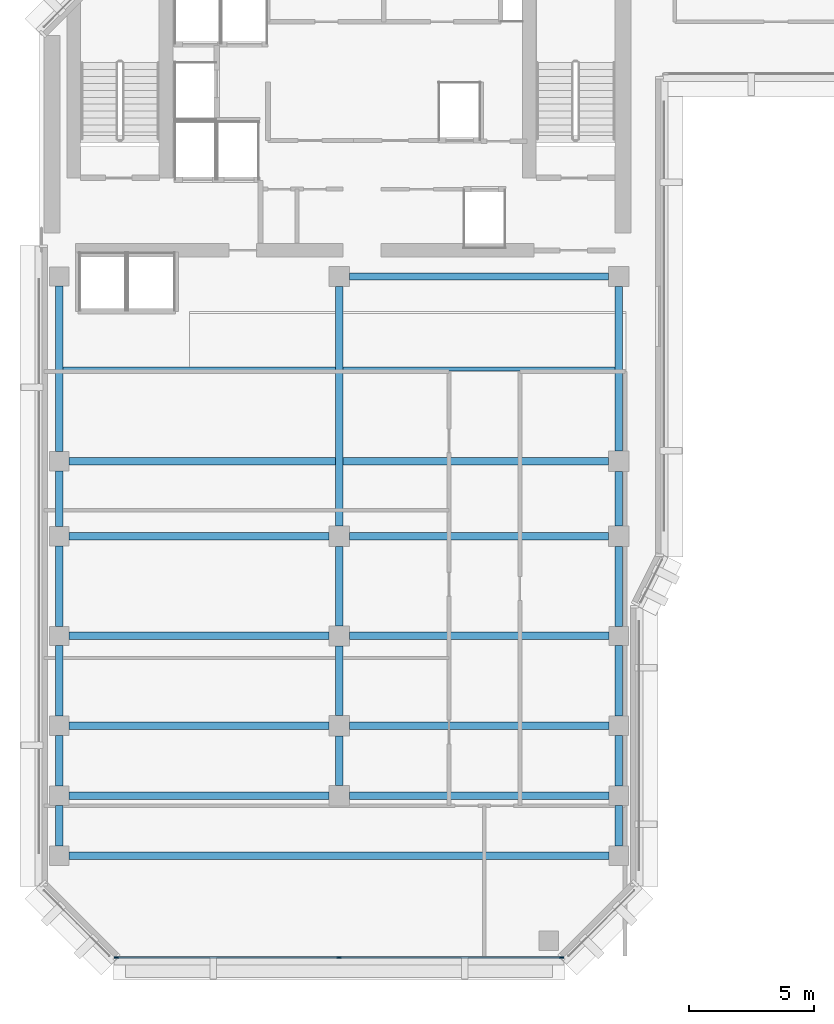
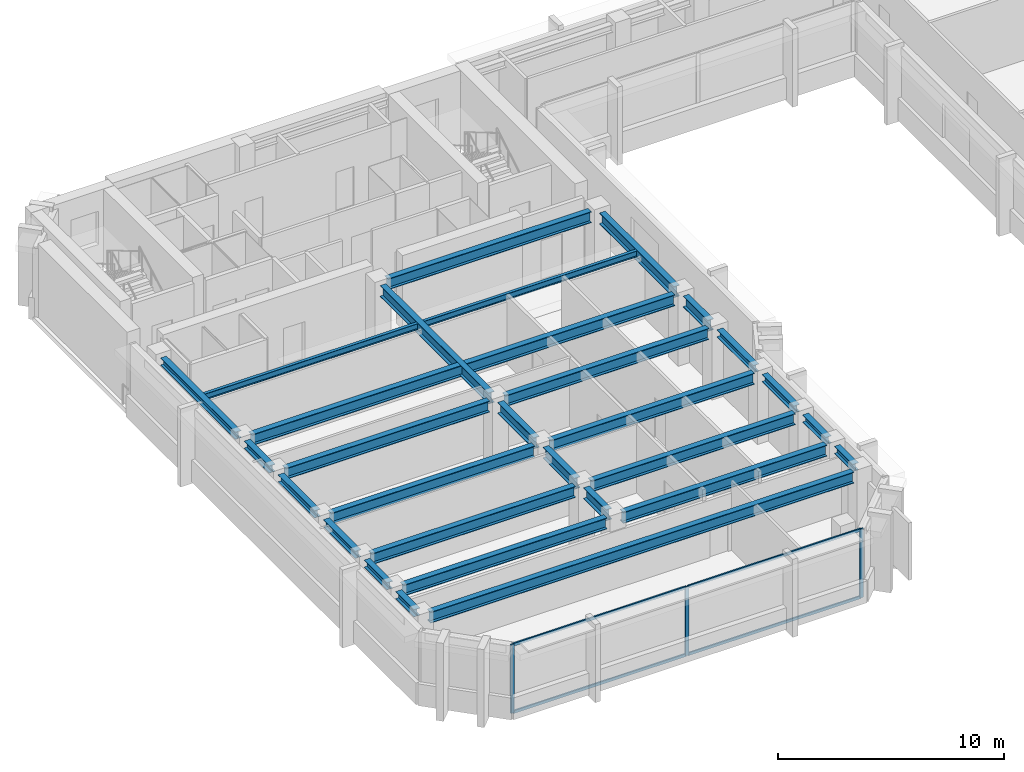
# One storey, part 2 of 11: 29 beams, 7 members, 1 element without a shape of its own.
"""IFC4 building model written with IfcOpenShell, lengths in metres."""

from ifc_helpers import new_model, si_unit, direction, frame, origin, origin_2d, place, context, subcontext, project, spatial, rectangle, i_section, extrude, material, layer, layer_set, material_profile, profile_set, type_object, element, aggregate, save


model = new_model("IFC4")

# Units and contexts
model_context = context("Model", 3, precision=1e-05, world=origin(), true_north=direction((0.0, 1.0)))
body_context = subcontext(model_context, "Body", "Model", "MODEL_VIEW")
ifc_project = project(units=[si_unit("LENGTHUNIT", "METRE"), si_unit("AREAUNIT", "SQUARE_METRE"), si_unit("VOLUMEUNIT", "CUBIC_METRE"), si_unit("PLANEANGLEUNIT", "RADIAN"), si_unit("MASSUNIT", "GRAM", prefix="KILO")], contexts=[model_context])

# Site, building, storey
site_placement = place(None, origin())
site = spatial("IfcSite", under=ifc_project, at=site_placement, CompositionType="ELEMENT")
building_placement = place(site_placement, origin())
building = spatial("IfcBuilding", under=site, at=building_placement, Name="Kefirva Bronze Tower", CompositionType="ELEMENT")
storey_placement = place(building_placement, frame((0.0, 0.0, 223.739990234375)))
storey = spatial("IfcBuildingStorey", under=building, at=storey_placement, Name="L54", CompositionType="ELEMENT", Elevation=223.739990234375)

# Curtain wall, members
ifc_material_1 = material(Name="Bronze anodised aluminium", Category="aluminium")
ifc_layer = layer(ifc_material_1, 0.179931640625, Name="Bronze anodised aluminium")
ifc_layer_set = layer_set([ifc_layer], Name="Bronze anodised aluminium")
curtain_wall_type = type_object("IfcCurtainWallType", Name="Unitised Bronze Ribbon Curtain Wall Zone 3", PredefinedType="USERDEFINED", material=ifc_layer_set)
curtain_wall_placement = place(storey_placement, origin())
curtain_wall = element("IfcCurtainWall", 1, at=curtain_wall_placement, inside=storey, type_object=curtain_wall_type, Name="L54 Curtain Wall 1", ObjectType="UNITISED CURTAIN WALL", PredefinedType="USERDEFINED")
ifc_material_profile_1 = material_profile(ifc_material_1, rectangle(XDim=0.074951171875, YDim=0.179931640625, at=origin_2d()), Name="ALU 75x180")
ifc_profile_set_1 = profile_set([ifc_material_profile_1], Name="Bronze anodised aluminium")
member_type_1 = type_object("IfcMemberType", Name="Bronze Mullion 75x180", PredefinedType="MULLION", material=ifc_profile_set_1)
member_1_placement = place(storey_placement, frame((3.092529296875, 5.919921875, 0.0), z_axis=(0.0, 0.0, 1.0), x_axis=(0.0, 1.0, 0.0)))
member_1 = element("IfcMember", 2, at=member_1_placement, type_object=member_type_1, Name="CW-03 mullion 1", PredefinedType="MULLION", context=body_context, shape_type="SweptSolid", body=[
    extrude(rectangle(XDim=0.074951171875, YDim=0.179931640625, at=origin_2d()), origin(), (0.0, 0.0, 1.0), 3.7099609375),
])
member_2_placement = place(storey_placement, frame((12.0, 5.919921875, 0.0), z_axis=(0.0, 0.0, 1.0), x_axis=(0.0, 1.0, 0.0)))
member_2 = element("IfcMember", 3, at=member_2_placement, type_object=member_type_1, Name="CW-03 mullion 2", PredefinedType="MULLION", context=body_context, shape_type="SweptSolid", body=[
    extrude(rectangle(XDim=0.074951171875, YDim=0.179931640625, at=origin_2d()), origin(), (0.0, 0.0, 1.0), 3.7099609375),
])
member_3_placement = place(storey_placement, frame((20.907470703125, 5.919921875, 0.0), z_axis=(0.0, 0.0, 1.0), x_axis=(0.0, 1.0, 0.0)))
member_3 = element("IfcMember", 4, at=member_3_placement, type_object=member_type_1, Name="CW-03 mullion 3", PredefinedType="MULLION", context=body_context, shape_type="SweptSolid", body=[
    extrude(rectangle(XDim=0.074951171875, YDim=0.179931640625, at=origin_2d()), origin(), (0.0, 0.0, 1.0), 3.7099609375),
])
ifc_material_profile_2 = material_profile(ifc_material_1, rectangle(XDim=0.074951171875, YDim=0.14990234375, at=origin_2d()), Name="ALU 75x150")
ifc_profile_set_2 = profile_set([ifc_material_profile_2], Name="Bronze anodised aluminium")
member_type_2 = type_object("IfcMemberType", Name="Bronze Transom 75x150", PredefinedType="USERDEFINED", material=ifc_profile_set_2)
member_4_placement = place(storey_placement, frame((3.1298828125, 5.919921875, 0.03759765625), z_axis=(1.0, 0.0, 0.0), x_axis=(0.0, 1.0, 0.0)))
member_4 = element("IfcMember", 5, at=member_4_placement, type_object=member_type_2, Name="CW-03 transom 1.1", ObjectType="TRANSOM", PredefinedType="USERDEFINED", context=body_context, shape_type="SweptSolid", body=[
    extrude(rectangle(XDim=0.074951171875, YDim=0.14990234375, at=origin_2d()), origin(), (0.0, 0.0, 1.0), 8.83251953125),
])
member_5_placement = place(storey_placement, frame((3.1298828125, 5.919921875, 3.672607421875), z_axis=(1.0, 0.0, 0.0), x_axis=(0.0, 1.0, 0.0)))
member_5 = element("IfcMember", 6, at=member_5_placement, type_object=member_type_2, Name="CW-03 transom 1.2", ObjectType="TRANSOM", PredefinedType="USERDEFINED", context=body_context, shape_type="SweptSolid", body=[
    extrude(rectangle(XDim=0.074951171875, YDim=0.14990234375, at=origin_2d()), origin(), (0.0, 0.0, 1.0), 8.83251953125),
])
member_6_placement = place(storey_placement, frame((12.03759765625, 5.919921875, 0.03759765625), z_axis=(1.0, 0.0, 0.0), x_axis=(0.0, 1.0, 0.0)))
member_6 = element("IfcMember", 7, at=member_6_placement, type_object=member_type_2, Name="CW-03 transom 2.1", ObjectType="TRANSOM", PredefinedType="USERDEFINED", context=body_context, shape_type="SweptSolid", body=[
    extrude(rectangle(XDim=0.074951171875, YDim=0.14990234375, at=origin_2d()), origin(), (0.0, 0.0, 1.0), 8.83251953125),
])
member_7_placement = place(storey_placement, frame((12.03759765625, 5.919921875, 3.672607421875), z_axis=(1.0, 0.0, 0.0), x_axis=(0.0, 1.0, 0.0)))
member_7 = element("IfcMember", 8, at=member_7_placement, type_object=member_type_2, Name="CW-03 transom 2.2", ObjectType="TRANSOM", PredefinedType="USERDEFINED", context=body_context, shape_type="SweptSolid", body=[
    extrude(rectangle(XDim=0.074951171875, YDim=0.14990234375, at=origin_2d()), origin(), (0.0, 0.0, 1.0), 8.83251953125),
])
aggregate(curtain_wall, [member_1, member_2, member_3, member_4, member_5, member_6, member_7])

# Beams
ifc_material_2 = material(Name="Steel S355", Category="steel")
ifc_material_profile_3 = material_profile(ifc_material_2, i_section(OverallWidth=0.159912109375, OverallDepth=0.330078125, WebThickness=0.007568359375, FlangeThickness=0.011474609375, at=origin_2d()), Name="IPE 330")
ifc_profile_set_3 = profile_set([ifc_material_profile_3], Name="Steel S355")
beam_type_1 = type_object("IfcBeamType", Name="Steel Floor Joist IPE 330", PredefinedType="JOIST", material=ifc_profile_set_3)
for number, where, z_axis, x_axis, name in (
    (9, (0.949951171875, 29.489990234375, 3.544921875), (1.0, 0.0, 0.0), (0.0, 1.0, 0.0), "L54 JST-L54-0-294"),
    (10, (12.14990234375, 29.5, 3.544921875), (1.0, 0.0, 0.0), (0.0, 1.0, 0.0), "L54 JST-L54-12-295"),
):
    element("IfcBeam", number, at=place(storey_placement, frame(where, z_axis=z_axis, x_axis=x_axis)), inside=storey, type_object=beam_type_1, Name=name, PredefinedType="JOIST", context=body_context, shape_type="SweptSolid", body=[
        extrude(i_section(OverallWidth=0.159912109375, OverallDepth=0.330078125, WebThickness=0.007568359375, FlangeThickness=0.011474609375, at=origin_2d()), origin(), (0.0, 0.0, 1.0), 10.900146484375),
    ])
ifc_material_profile_4 = material_profile(ifc_material_2, i_section(OverallWidth=0.300048828125, OverallDepth=0.60009765625, WebThickness=0.015380859375, FlangeThickness=0.030029296875, at=origin_2d()), Name="HEB 600")
ifc_profile_set_4 = profile_set([ifc_material_profile_4], Name="Steel S355")
beam_type_2 = type_object("IfcBeamType", Name="Steel Girder HEB 600", PredefinedType="USERDEFINED", material=ifc_profile_set_4)
beam_1_placement = place(storey_placement, frame((1.18994140625, 10.0, 3.409912109375), z_axis=(1.0, 0.0, 0.0), x_axis=(0.0, 1.0, 0.0)))
element("IfcBeam", 11, at=beam_1_placement, inside=storey, type_object=beam_type_2, Name="L54 BM-L54-EW-0-100", ObjectType="GIRDER", PredefinedType="USERDEFINED", context=body_context, shape_type="SweptSolid", body=[
    extrude(i_section(OverallWidth=0.300048828125, OverallDepth=0.60009765625, WebThickness=0.015380859375, FlangeThickness=0.030029296875, at=origin_2d()), origin(), (0.0, 0.0, 1.0), 21.6201171875),
])
for number, where, z_axis, x_axis, name in (
    (12, (1.18994140625, 12.39990234375, 3.409912109375), (1.0, 0.0, 0.0), (0.0, 1.0, 0.0), "L54 BM-L54-EW-0-124"),
    (13, (12.409912109375, 12.39990234375, 3.409912109375), (1.0, 0.0, 0.0), (0.0, 1.0, 0.0), "L54 BM-L54-EW-12-124"),
    (14, (1.18994140625, 15.199951171875, 3.409912109375), (1.0, 0.0, 0.0), (0.0, 1.0, 0.0), "L54 BM-L54-EW-0-152"),
    (15, (12.409912109375, 15.199951171875, 3.409912109375), (1.0, 0.0, 0.0), (0.0, 1.0, 0.0), "L54 BM-L54-EW-12-152"),
    (16, (1.18994140625, 18.800048828125, 3.409912109375), (1.0, 0.0, 0.0), (0.0, 1.0, 0.0), "L54 BM-L54-EW-0-188"),
    (17, (12.409912109375, 18.800048828125, 3.409912109375), (1.0, 0.0, 0.0), (0.0, 1.0, 0.0), "L54 BM-L54-EW-12-188"),
    (18, (1.18994140625, 22.800048828125, 3.409912109375), (1.0, 0.0, 0.0), (0.0, 1.0, 0.0), "L54 BM-L54-EW-0-228"),
):
    element("IfcBeam", number, at=place(storey_placement, frame(where, z_axis=z_axis, x_axis=x_axis)), inside=storey, type_object=beam_type_2, Name=name, ObjectType="GIRDER", PredefinedType="USERDEFINED", context=body_context, shape_type="SweptSolid", body=[
        extrude(i_section(OverallWidth=0.300048828125, OverallDepth=0.60009765625, WebThickness=0.015380859375, FlangeThickness=0.030029296875, at=origin_2d()), origin(), (0.0, 0.0, 1.0), 10.400146484375),
    ])
beam_2_placement = place(storey_placement, frame((12.409912109375, 22.800048828125, 3.409912109375), z_axis=(1.0, 0.0, 0.0), x_axis=(0.0, 1.0, 0.0)))
element("IfcBeam", 19, at=beam_2_placement, inside=storey, type_object=beam_type_2, Name="L54 BM-L54-EW-12-228", ObjectType="GIRDER", PredefinedType="USERDEFINED", context=body_context, shape_type="SweptSolid", body=[
    extrude(i_section(OverallWidth=0.300048828125, OverallDepth=0.60009765625, WebThickness=0.015380859375, FlangeThickness=0.030029296875, at=origin_2d()), origin(), (0.0, 0.0, 1.0), 10.380126953125),
])
beam_3_placement = place(storey_placement, frame((1.18994140625, 25.800048828125, 3.409912109375), z_axis=(1.0, 0.0, 0.0), x_axis=(0.0, 1.0, 0.0)))
element("IfcBeam", 20, at=beam_3_placement, inside=storey, type_object=beam_type_2, Name="L54 BM-L54-EW-0-258", ObjectType="GIRDER", PredefinedType="USERDEFINED", context=body_context, shape_type="SweptSolid", body=[
    extrude(i_section(OverallWidth=0.300048828125, OverallDepth=0.60009765625, WebThickness=0.015380859375, FlangeThickness=0.030029296875, at=origin_2d()), origin(), (0.0, 0.0, 1.0), 21.60009765625),
])
beam_4_placement = place(storey_placement, frame((12.409912109375, 33.199951171875, 3.409912109375), z_axis=(1.0, 0.0, 0.0), x_axis=(0.0, 1.0, 0.0)))
element("IfcBeam", 21, at=beam_4_placement, inside=storey, type_object=beam_type_2, Name="L54 BM-L54-EW-12-332", ObjectType="GIRDER", PredefinedType="USERDEFINED", context=body_context, shape_type="SweptSolid", body=[
    extrude(i_section(OverallWidth=0.300048828125, OverallDepth=0.60009765625, WebThickness=0.015380859375, FlangeThickness=0.030029296875, at=origin_2d()), origin(), (0.0, 0.0, 1.0), 10.380126953125),
])
beam_5_placement = place(storey_placement, frame((12.0, 12.81005859375, 3.409912109375), z_axis=(0.0, 1.0, 0.0), x_axis=(-1.0, 0.0, 0.0)))
element("IfcBeam", 22, at=beam_5_placement, inside=storey, type_object=beam_type_2, Name="L54 BM-L54-NS-120-12", ObjectType="GIRDER", PredefinedType="USERDEFINED", context=body_context, shape_type="SweptSolid", body=[
    extrude(i_section(OverallWidth=0.300048828125, OverallDepth=0.60009765625, WebThickness=0.015380859375, FlangeThickness=0.030029296875, at=origin_2d()), origin(), (0.0, 0.0, 1.0), 1.97998046875),
])
beam_6_placement = place(storey_placement, frame((12.0, 15.610107421875, 3.409912109375), z_axis=(0.0, 1.0, 0.0), x_axis=(-1.0, 0.0, 0.0)))
element("IfcBeam", 23, at=beam_6_placement, inside=storey, type_object=beam_type_2, Name="L54 BM-L54-NS-120-15", ObjectType="GIRDER", PredefinedType="USERDEFINED", context=body_context, shape_type="SweptSolid", body=[
    extrude(i_section(OverallWidth=0.300048828125, OverallDepth=0.60009765625, WebThickness=0.015380859375, FlangeThickness=0.030029296875, at=origin_2d()), origin(), (0.0, 0.0, 1.0), 2.77978515625),
])
beam_7_placement = place(storey_placement, frame((12.0, 19.2099609375, 3.409912109375), z_axis=(0.0, 1.0, 0.0), x_axis=(-1.0, 0.0, 0.0)))
element("IfcBeam", 24, at=beam_7_placement, inside=storey, type_object=beam_type_2, Name="L54 BM-L54-NS-120-18", ObjectType="GIRDER", PredefinedType="USERDEFINED", context=body_context, shape_type="SweptSolid", body=[
    extrude(i_section(OverallWidth=0.300048828125, OverallDepth=0.60009765625, WebThickness=0.015380859375, FlangeThickness=0.030029296875, at=origin_2d()), origin(), (0.0, 0.0, 1.0), 3.179931640625),
])
beam_8_placement = place(storey_placement, frame((12.0, 23.2099609375, 3.409912109375), z_axis=(0.0, 1.0, 0.0), x_axis=(-1.0, 0.0, 0.0)))
element("IfcBeam", 25, at=beam_8_placement, inside=storey, type_object=beam_type_2, Name="L54 BM-L54-NS-120-22", ObjectType="GIRDER", PredefinedType="USERDEFINED", context=body_context, shape_type="SweptSolid", body=[
    extrude(i_section(OverallWidth=0.300048828125, OverallDepth=0.60009765625, WebThickness=0.015380859375, FlangeThickness=0.030029296875, at=origin_2d()), origin(), (0.0, 0.0, 1.0), 9.580078125),
])
beam_9_placement = place(storey_placement, frame((23.199951171875, 23.2099609375, 3.409912109375), z_axis=(0.0, 1.0, 0.0), x_axis=(-1.0, 0.0, 0.0)))
element("IfcBeam", 26, at=beam_9_placement, inside=storey, type_object=beam_type_2, Name="L54 BM-L54-NS-232-22", ObjectType="GIRDER", PredefinedType="USERDEFINED", context=body_context, shape_type="SweptSolid", body=[
    extrude(i_section(OverallWidth=0.300048828125, OverallDepth=0.60009765625, WebThickness=0.015380859375, FlangeThickness=0.030029296875, at=origin_2d()), origin(), (0.0, 0.0, 1.0), 2.179931640625),
])
beam_10_placement = place(storey_placement, frame((23.199951171875, 26.2099609375, 3.409912109375), z_axis=(0.0, 1.0, 0.0), x_axis=(-1.0, 0.0, 0.0)))
element("IfcBeam", 27, at=beam_10_placement, inside=storey, type_object=beam_type_2, Name="L54 BM-L54-NS-232-25", ObjectType="GIRDER", PredefinedType="USERDEFINED", context=body_context, shape_type="SweptSolid", body=[
    extrude(i_section(OverallWidth=0.300048828125, OverallDepth=0.60009765625, WebThickness=0.015380859375, FlangeThickness=0.030029296875, at=origin_2d()), origin(), (0.0, 0.0, 1.0), 6.580078125),
])
ifc_material_profile_5 = material_profile(ifc_material_2, i_section(OverallWidth=0.300048828125, OverallDepth=0.39990234375, WebThickness=0.013427734375, FlangeThickness=0.02392578125, at=origin_2d()), Name="HEB 400")
ifc_profile_set_5 = profile_set([ifc_material_profile_5], Name="Steel S355")
beam_type_3 = type_object("IfcBeamType", Name="Steel Spandrel HEB 400 Ext", PredefinedType="SPANDREL", material=ifc_profile_set_5)
beam_11_placement = place(storey_placement, frame((0.800048828125, 10.389892578125, 3.510009765625), z_axis=(0.0, 1.0, 0.0), x_axis=(-1.0, 0.0, 0.0)))
element("IfcBeam", 28, at=beam_11_placement, inside=storey, type_object=beam_type_3, Name="L54 BM-L54-NS-8-10", PredefinedType="SPANDREL", context=body_context, shape_type="SweptSolid", body=[
    extrude(i_section(OverallWidth=0.300048828125, OverallDepth=0.39990234375, WebThickness=0.013427734375, FlangeThickness=0.02392578125, at=origin_2d()), origin(), (0.0, 0.0, 1.0), 1.6201171875),
])
beam_12_placement = place(storey_placement, frame((0.800048828125, 12.7900390625, 3.510009765625), z_axis=(0.0, 1.0, 0.0), x_axis=(-1.0, 0.0, 0.0)))
element("IfcBeam", 29, at=beam_12_placement, inside=storey, type_object=beam_type_3, Name="L54 BM-L54-NS-8-12", PredefinedType="SPANDREL", context=body_context, shape_type="SweptSolid", body=[
    extrude(i_section(OverallWidth=0.300048828125, OverallDepth=0.39990234375, WebThickness=0.013427734375, FlangeThickness=0.02392578125, at=origin_2d()), origin(), (0.0, 0.0, 1.0), 2.02001953125),
])
beam_13_placement = place(storey_placement, frame((0.800048828125, 15.590087890625, 3.510009765625), z_axis=(0.0, 1.0, 0.0), x_axis=(-1.0, 0.0, 0.0)))
element("IfcBeam", 30, at=beam_13_placement, inside=storey, type_object=beam_type_3, Name="L54 BM-L54-NS-8-15", PredefinedType="SPANDREL", context=body_context, shape_type="SweptSolid", body=[
    extrude(i_section(OverallWidth=0.300048828125, OverallDepth=0.39990234375, WebThickness=0.013427734375, FlangeThickness=0.02392578125, at=origin_2d()), origin(), (0.0, 0.0, 1.0), 2.81982421875),
])
beam_14_placement = place(storey_placement, frame((0.800048828125, 19.18994140625, 3.510009765625), z_axis=(0.0, 1.0, 0.0), x_axis=(-1.0, 0.0, 0.0)))
element("IfcBeam", 31, at=beam_14_placement, inside=storey, type_object=beam_type_3, Name="L54 BM-L54-NS-8-18", PredefinedType="SPANDREL", context=body_context, shape_type="SweptSolid", body=[
    extrude(i_section(OverallWidth=0.300048828125, OverallDepth=0.39990234375, WebThickness=0.013427734375, FlangeThickness=0.02392578125, at=origin_2d()), origin(), (0.0, 0.0, 1.0), 3.219970703125),
])
beam_15_placement = place(storey_placement, frame((0.800048828125, 23.18994140625, 3.510009765625), z_axis=(0.0, 1.0, 0.0), x_axis=(-1.0, 0.0, 0.0)))
element("IfcBeam", 32, at=beam_15_placement, inside=storey, type_object=beam_type_3, Name="L54 BM-L54-NS-8-22", PredefinedType="SPANDREL", context=body_context, shape_type="SweptSolid", body=[
    extrude(i_section(OverallWidth=0.300048828125, OverallDepth=0.39990234375, WebThickness=0.013427734375, FlangeThickness=0.02392578125, at=origin_2d()), origin(), (0.0, 0.0, 1.0), 2.219970703125),
])
beam_16_placement = place(storey_placement, frame((0.800048828125, 26.18994140625, 3.510009765625), z_axis=(0.0, 1.0, 0.0), x_axis=(-1.0, 0.0, 0.0)))
element("IfcBeam", 33, at=beam_16_placement, inside=storey, type_object=beam_type_3, Name="L54 BM-L54-NS-8-25", PredefinedType="SPANDREL", context=body_context, shape_type="SweptSolid", body=[
    extrude(i_section(OverallWidth=0.300048828125, OverallDepth=0.39990234375, WebThickness=0.013427734375, FlangeThickness=0.02392578125, at=origin_2d()), origin(), (0.0, 0.0, 1.0), 6.6201171875),
])
beam_17_placement = place(storey_placement, frame((23.199951171875, 10.389892578125, 3.510009765625), z_axis=(0.0, 1.0, 0.0), x_axis=(-1.0, 0.0, 0.0)))
element("IfcBeam", 34, at=beam_17_placement, inside=storey, type_object=beam_type_3, Name="L54 BM-L54-NS-232-10", PredefinedType="SPANDREL", context=body_context, shape_type="SweptSolid", body=[
    extrude(i_section(OverallWidth=0.300048828125, OverallDepth=0.39990234375, WebThickness=0.013427734375, FlangeThickness=0.02392578125, at=origin_2d()), origin(), (0.0, 0.0, 1.0), 1.6201171875),
])
beam_18_placement = place(storey_placement, frame((23.199951171875, 12.7900390625, 3.510009765625), z_axis=(0.0, 1.0, 0.0), x_axis=(-1.0, 0.0, 0.0)))
element("IfcBeam", 35, at=beam_18_placement, inside=storey, type_object=beam_type_3, Name="L54 BM-L54-NS-232-12", PredefinedType="SPANDREL", context=body_context, shape_type="SweptSolid", body=[
    extrude(i_section(OverallWidth=0.300048828125, OverallDepth=0.39990234375, WebThickness=0.013427734375, FlangeThickness=0.02392578125, at=origin_2d()), origin(), (0.0, 0.0, 1.0), 2.02001953125),
])
beam_19_placement = place(storey_placement, frame((23.199951171875, 15.590087890625, 3.510009765625), z_axis=(0.0, 1.0, 0.0), x_axis=(-1.0, 0.0, 0.0)))
element("IfcBeam", 36, at=beam_19_placement, inside=storey, type_object=beam_type_3, Name="L54 BM-L54-NS-232-15", PredefinedType="SPANDREL", context=body_context, shape_type="SweptSolid", body=[
    extrude(i_section(OverallWidth=0.300048828125, OverallDepth=0.39990234375, WebThickness=0.013427734375, FlangeThickness=0.02392578125, at=origin_2d()), origin(), (0.0, 0.0, 1.0), 2.81982421875),
])
beam_20_placement = place(storey_placement, frame((23.199951171875, 19.18994140625, 3.510009765625), z_axis=(0.0, 1.0, 0.0), x_axis=(-1.0, 0.0, 0.0)))
element("IfcBeam", 37, at=beam_20_placement, inside=storey, type_object=beam_type_3, Name="L54 BM-L54-NS-232-18", PredefinedType="SPANDREL", context=body_context, shape_type="SweptSolid", body=[
    extrude(i_section(OverallWidth=0.300048828125, OverallDepth=0.39990234375, WebThickness=0.013427734375, FlangeThickness=0.02392578125, at=origin_2d()), origin(), (0.0, 0.0, 1.0), 3.199951171875),
])

save(model, "model.ifc")
